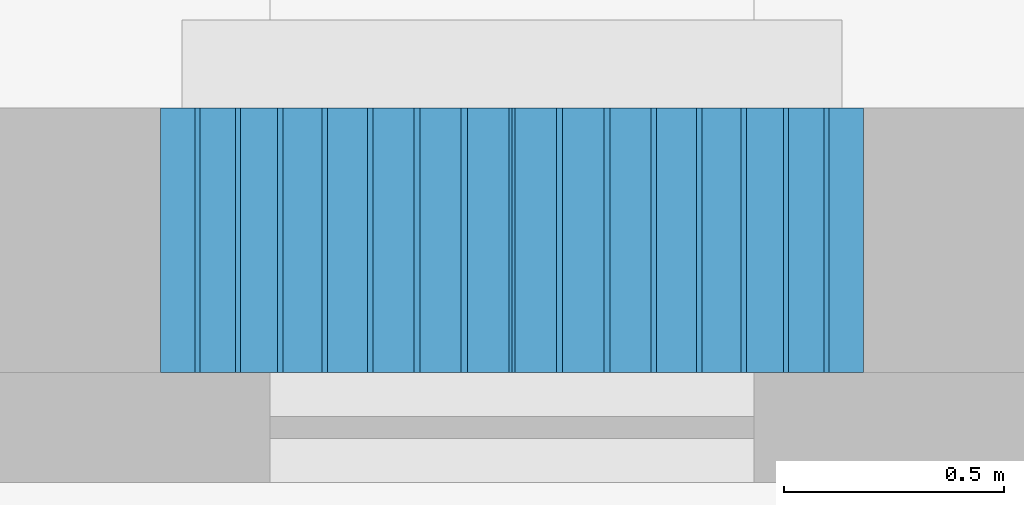
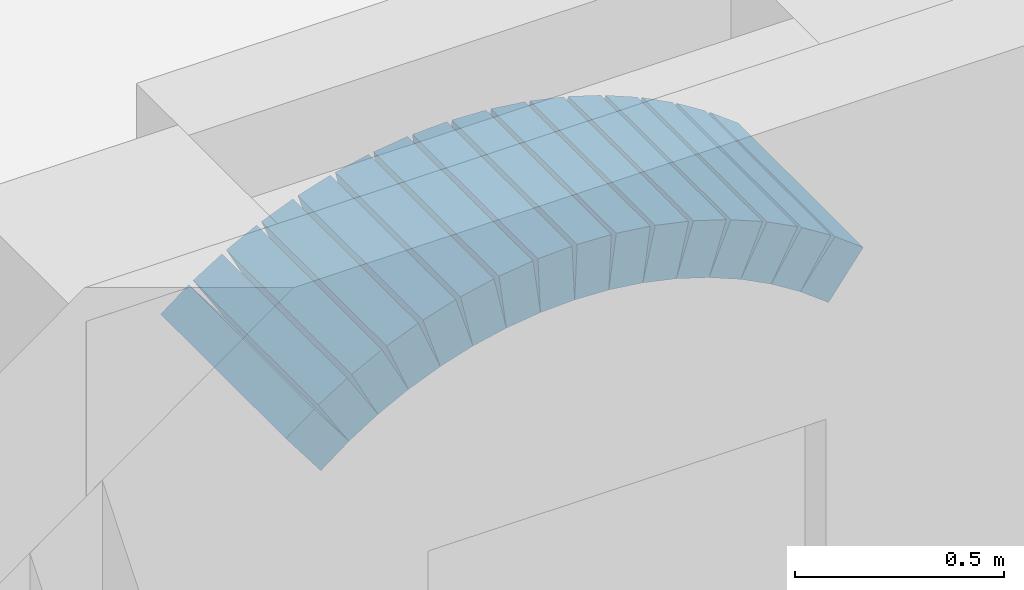
# One storey, part 27 of 112: 16 members.
"""IFC4 building model written with IfcOpenShell, lengths in metres."""

from ifc_helpers import new_model, si_unit, direction, frame, origin, origin_2d, place, context, subcontext, project, spatial, rectangle, extrude, material, material_profile, profile_set, type_object, element, save


model = new_model("IFC4")

# Units and contexts
model_context = context("Model", 3, precision=1e-05, world=origin(), true_north=direction((0.0, 1.0)))
body_context = subcontext(model_context, "Body", "Model", "MODEL_VIEW")
ifc_project = project(units=[si_unit("LENGTHUNIT", "METRE"), si_unit("AREAUNIT", "SQUARE_METRE"), si_unit("VOLUMEUNIT", "CUBIC_METRE"), si_unit("PLANEANGLEUNIT", "RADIAN"), si_unit("MASSUNIT", "GRAM", prefix="KILO")], contexts=[model_context])

# Site, building, storey
site_placement = place(None, origin())
site = spatial("IfcSite", under=ifc_project, at=site_placement, CompositionType="ELEMENT")
building_placement = place(site_placement, origin())
building = spatial("IfcBuilding", under=site, at=building_placement, Name="Ridgestep Commons", CompositionType="ELEMENT")
storey_placement = place(building_placement, origin())
storey = spatial("IfcBuildingStorey", under=building, at=storey_placement, Name="L00", CompositionType="ELEMENT", Elevation=0.0)

# Members
ifc_material = material(Name="Precast concrete C40/50", Category="concrete")
ifc_material_profile = material_profile(ifc_material, rectangle(XDim=0.60009765625, YDim=0.159912109375, at=origin_2d()), Name="Portal arch segment 600 x 160")
ifc_profile_set = profile_set([ifc_material_profile], Name="Precast concrete C40/50")
member_type = type_object("IfcMemberType", Name="Portal arch segment 600 x 160", PredefinedType="USERDEFINED", material=ifc_profile_set)
member_1_placement = place(storey_placement, frame((32.47509765625, 77.550048828125, 2.300048828125), z_axis=(0.797600835796, 0.0, 0.603185632071), x_axis=(0.0, 1.0, 0.0)))
element("IfcMember", 1, at=member_1_placement, inside=storey, type_object=member_type, Name="Portal arch segment B1", ObjectType="ARCH SEGMENT", PredefinedType="USERDEFINED", context=body_context, shape_type="SweptSolid", body=[
    extrude(rectangle(XDim=0.60009765625, YDim=0.159912109375, at=origin_2d()), origin(), (0.0, 0.0, 1.0), 0.097900390625),
])
for number, where, z_axis, x_axis, name in (
    (2, (32.558837890625, 77.550048828125, 2.36328125), (0.847563831494, 0.0, 0.53069346288), (0.0, 1.0, 0.0), "Portal arch segment B2"),
    (3, (32.64501953125, 77.550048828125, 2.4169921875), (0.888688378727, 0.0, 0.458511685256), (0.0, 1.0, 0.0), "Portal arch segment B3"),
    (4, (32.735595703125, 77.550048828125, 2.463134765625), (0.925423721181, 0.0, 0.378933947113), (0.0, 1.0, 0.0), "Portal arch segment B4"),
    (5, (32.829833984375, 77.550048828125, 2.50146484375), (0.954204240747, 0.0, 0.299155924126), (0.0, 1.0, 0.0), "Portal arch segment B5"),
    (6, (32.9267578125, 77.550048828125, 2.531494140625), (0.976849546351, 0.0, 0.213927473211), (0.0, 1.0, 0.0), "Portal arch segment B6"),
    (7, (33.026123046875, 77.550048828125, 2.552978515625), (0.991672073525, 0.0, 0.128788580977), (0.0, 1.0, 0.0), "Portal arch segment B7"),
):
    element("IfcMember", number, at=place(storey_placement, frame(where, z_axis=z_axis, x_axis=x_axis)), inside=storey, type_object=member_type, Name=name, ObjectType="ARCH SEGMENT", PredefinedType="USERDEFINED", context=body_context, shape_type="SweptSolid", body=[
        extrude(rectangle(XDim=0.60009765625, YDim=0.159912109375, at=origin_2d()), origin(), (0.0, 0.0, 1.0), 0.0947265625),
    ])
for number, where, z_axis, x_axis, name in (
    (8, (33.126953125, 77.550048828125, 2.565673828125), (0.999036574918, 0.0, 0.04388532758), (0.0, 1.0, 0.0), "Portal arch segment B8"),
    (9, (33.228515625, 77.550048828125, 2.56982421875), (0.999036574918, 0.0, -0.04388532758), (0.0, 1.0, 0.0), "Portal arch segment B9"),
):
    element("IfcMember", number, at=place(storey_placement, frame(where, z_axis=z_axis, x_axis=x_axis)), inside=storey, type_object=member_type, Name=name, ObjectType="ARCH SEGMENT", PredefinedType="USERDEFINED", context=body_context, shape_type="SweptSolid", body=[
        extrude(rectangle(XDim=0.60009765625, YDim=0.159912109375, at=origin_2d()), origin(), (0.0, 0.0, 1.0), 0.094482421875),
    ])
for number, where, z_axis, x_axis, name in (
    (10, (33.329833984375, 77.550048828125, 2.565185546875), (0.991672073525, 0.0, -0.128788580977), (0.0, 1.0, 0.0), "Portal arch segment B10"),
    (11, (33.4306640625, 77.550048828125, 2.5517578125), (0.976849546351, 0.0, -0.213927473211), (0.0, 1.0, 0.0), "Portal arch segment B11"),
):
    element("IfcMember", number, at=place(storey_placement, frame(where, z_axis=z_axis, x_axis=x_axis)), inside=storey, type_object=member_type, Name=name, ObjectType="ARCH SEGMENT", PredefinedType="USERDEFINED", context=body_context, shape_type="SweptSolid", body=[
        extrude(rectangle(XDim=0.60009765625, YDim=0.159912109375, at=origin_2d()), origin(), (0.0, 0.0, 1.0), 0.0947265625),
    ])
member_2_placement = place(storey_placement, frame((33.52978515625, 77.550048828125, 2.52978515625), z_axis=(0.954434191014, 0.0, -0.298421472123), x_axis=(0.0, 1.0, 0.0)))
element("IfcMember", 12, at=member_2_placement, inside=storey, type_object=member_type, Name="Portal arch segment B12", ObjectType="ARCH SEGMENT", PredefinedType="USERDEFINED", context=body_context, shape_type="SweptSolid", body=[
    extrude(rectangle(XDim=0.60009765625, YDim=0.159912109375, at=origin_2d()), origin(), (0.0, 0.0, 1.0), 0.094970703125),
])
for number, where, z_axis, x_axis, name in (
    (13, (33.626708984375, 77.550048828125, 2.4990234375), (0.925423721181, 0.0, -0.378933947113), (0.0, 1.0, 0.0), "Portal arch segment B13"),
    (14, (33.720703125, 77.550048828125, 2.46044921875), (0.888688378727, 0.0, -0.458511685256), (0.0, 1.0, 0.0), "Portal arch segment B14"),
    (15, (33.810791015625, 77.550048828125, 2.41357421875), (0.847563831494, 0.0, -0.53069346288), (0.0, 1.0, 0.0), "Portal arch segment B15"),
):
    element("IfcMember", number, at=place(storey_placement, frame(where, z_axis=z_axis, x_axis=x_axis)), inside=storey, type_object=member_type, Name=name, ObjectType="ARCH SEGMENT", PredefinedType="USERDEFINED", context=body_context, shape_type="SweptSolid", body=[
        extrude(rectangle(XDim=0.60009765625, YDim=0.159912109375, at=origin_2d()), origin(), (0.0, 0.0, 1.0), 0.0947265625),
    ])
member_3_placement = place(storey_placement, frame((33.896728515625, 77.550048828125, 2.359130859375), z_axis=(0.79850499213, 0.0, -0.601988187213), x_axis=(0.0, 1.0, 0.0)))
element("IfcMember", 16, at=member_3_placement, inside=storey, type_object=member_type, Name="Portal arch segment B16", ObjectType="ARCH SEGMENT", PredefinedType="USERDEFINED", context=body_context, shape_type="SweptSolid", body=[
    extrude(rectangle(XDim=0.60009765625, YDim=0.159912109375, at=origin_2d()), origin(), (0.0, 0.0, 1.0), 0.09814453125),
])

save(model, "model.ifc")
